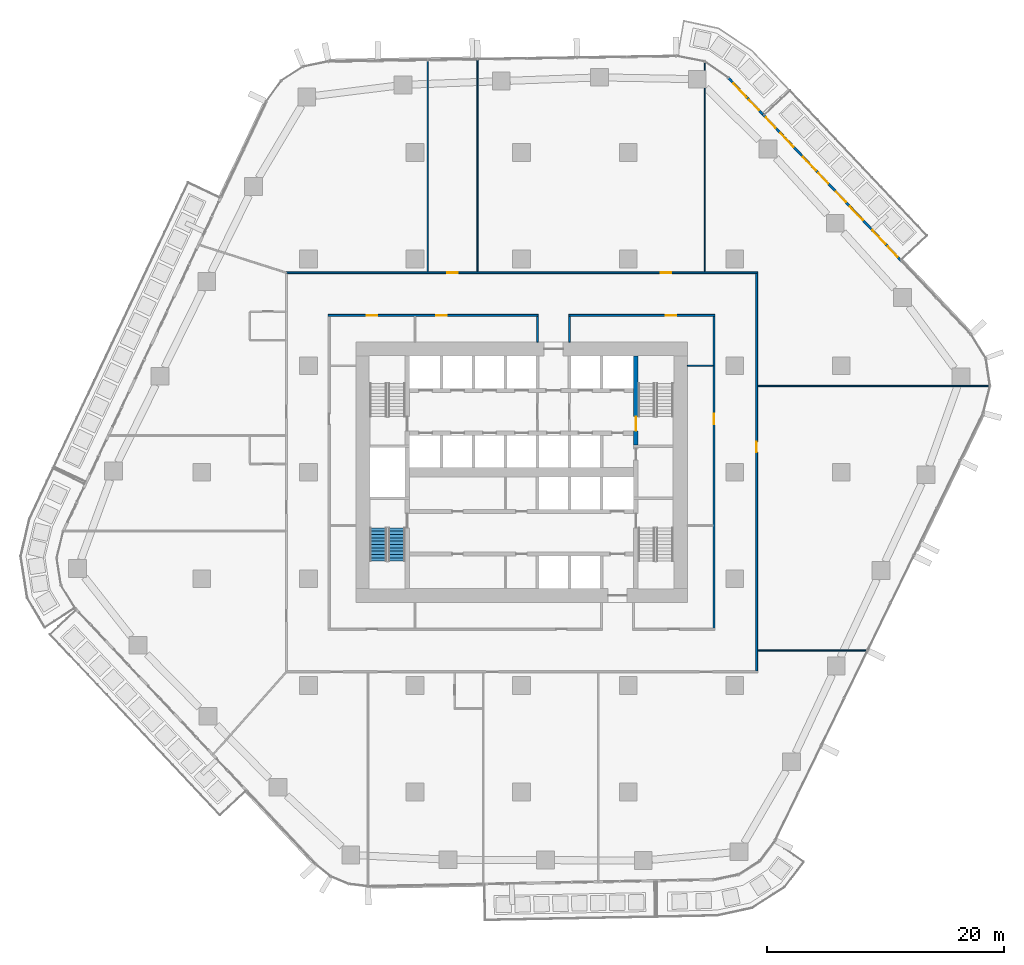
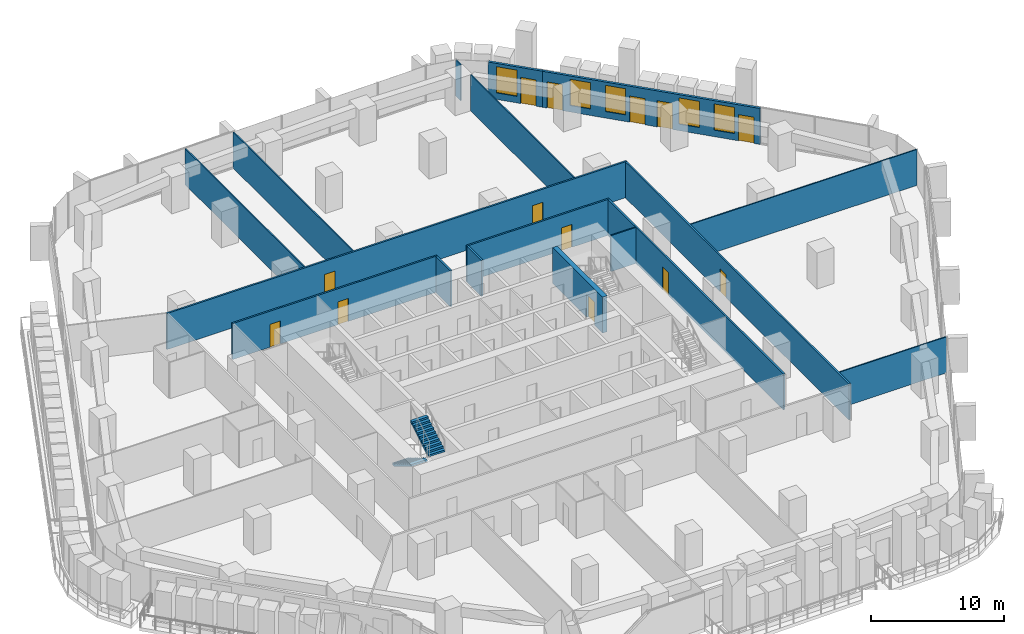
# One storey, part 17 of 25: 17 walls, 13 doors, 5 windows, 2 stair flights, 18 openings, 1 element without a shape of its own.
"""IFC4 building model written with IfcOpenShell, lengths in metres."""

from ifc_helpers import new_model, si_unit, direction, frame, frame_2d, origin, place, context, subcontext, project, spatial, polyline, rectangle, outline, extrude, material, layer, layer_set, type_object, element, fill, aggregate, save


model = new_model("IFC4")

# Units and contexts
model_context = context("Model", 3, precision=1e-05, world=origin(), true_north=direction((0.0, 1.0)))
body_context = subcontext(model_context, "Body", "Model", "MODEL_VIEW")
ifc_project = project(units=[si_unit("LENGTHUNIT", "METRE"), si_unit("AREAUNIT", "SQUARE_METRE"), si_unit("VOLUMEUNIT", "CUBIC_METRE"), si_unit("PLANEANGLEUNIT", "RADIAN"), si_unit("MASSUNIT", "GRAM", prefix="KILO")], contexts=[model_context])

# Site, building, storey
site_placement = place(None, origin())
site = spatial("IfcSite", under=ifc_project, at=site_placement, CompositionType="ELEMENT")
building_placement = place(site_placement, origin())
building = spatial("IfcBuilding", under=site, at=building_placement, Name="Dongbaek Canopy Tower", CompositionType="ELEMENT")
storey_placement = place(building_placement, frame((0.0, 0.0, 81.0)))
storey = spatial("IfcBuildingStorey", under=building, at=storey_placement, Name="L16", CompositionType="ELEMENT", Elevation=81.0)

# Wall, openings, doors
ifc_material_1 = material(Name="Gypsum board partition, steel stud, 2 x 15 mm fire board", Category="steel")
ifc_layer_1 = layer(ifc_material_1, 0.14990234375)
ifc_layer_set_1 = layer_set([ifc_layer_1], Name="Fire-rated partition 150 gypsum board")
wall_type_1 = type_object("IfcWallType", Name="Fire-rated partition 150 gypsum board", PredefinedType="PARTITIONING", material=ifc_layer_set_1)
wall_1_placement = place(storey_placement, frame((1.425048828125, 13.25, 0.0), z_axis=(0.0, 0.0, 1.0), x_axis=(-1.0, 0.0, 0.0)))
wall_1 = element("IfcWall", 1, at=wall_1_placement, inside=storey, type_object=wall_type_1, Name="Corridor partition", PredefinedType="PARTITIONING", context=body_context, shape_type="SweptSolid", body=[
    extrude(rectangle(XDim=17.75, YDim=0.14990234375, at=frame_2d((8.875, 0.0))), origin(), (0.0, 0.0, 1.0), 3.300048828125),
])
opening_1_placement = place(wall_1_placement, frame((7.72509765625, 0.0, 0.0)))
opening_1 = element("IfcOpeningElement", 2, at=opening_1_placement, cuts=wall_1, Name="Opening L16-D019", PredefinedType="OPENING", context=body_context, shape_type="SweptSolid", body=[
    extrude(rectangle(XDim=0.89990234375, YDim=2.10009765625, at=frame_2d((0.449951171875, 1.050048828125))), frame((0.0, 0.0849609375, 0.0), z_axis=(0.0, -1.0, 0.0), x_axis=(1.0, 0.0, 0.0)), (0.0, 0.0, 1.0), 0.169921875),
])
opening_2_placement = place(wall_1_placement, frame((13.60009765625, 0.0, 0.0)))
opening_2 = element("IfcOpeningElement", 3, at=opening_2_placement, cuts=wall_1, Name="Opening L16-D020", PredefinedType="OPENING", context=body_context, shape_type="SweptSolid", body=[
    extrude(rectangle(XDim=0.89990234375, YDim=2.10009765625, at=frame_2d((0.449951171875, 1.050048828125))), frame((0.0, 0.0849609375, 0.0), z_axis=(0.0, -1.0, 0.0), x_axis=(1.0, 0.0, 0.0)), (0.0, 0.0, 1.0), 0.169921875),
])
ifc_material_2 = material(Name="Timber veneered door leaf", Category="wood")
door_type_1 = type_object("IfcDoorType", Name="Room door 900 x 2100", OperationType="SINGLE_SWING_LEFT", PredefinedType="DOOR", material=ifc_material_2)
door_1_placement = place(opening_1_placement, origin())
door_1 = element("IfcDoor", 4, at=door_1_placement, inside=storey, type_object=door_type_1, Name="Door L16-D019", OperationType="SINGLE_SWING_LEFT", OverallHeight=2.10009765625, OverallWidth=0.89990234375, PredefinedType="DOOR", context=body_context, shape_type="SweptSolid", body=[
    extrude(rectangle(XDim=0.89990234375, YDim=2.10009765625, at=frame_2d((0.449951171875, 1.050048828125))), frame((0.0, 0.02490234375, 0.0), z_axis=(0.0, -1.0, 0.0), x_axis=(1.0, 0.0, 0.0)), (0.0, 0.0, 1.0), 0.050048828125),
])
fill(opening_1, door_1)
door_2_placement = place(opening_2_placement, origin())
door_2 = element("IfcDoor", 5, at=door_2_placement, inside=storey, type_object=door_type_1, Name="Door L16-D020", OperationType="SINGLE_SWING_RIGHT", OverallHeight=2.10009765625, OverallWidth=0.89990234375, PredefinedType="DOOR", context=body_context, shape_type="SweptSolid", body=[
    extrude(rectangle(XDim=0.89990234375, YDim=2.10009765625, at=frame_2d((0.449951171875, 1.050048828125))), frame((0.0, 0.02490234375, 0.0), z_axis=(0.0, -1.0, 0.0), x_axis=(1.0, 0.0, 0.0)), (0.0, 0.0, 1.0), 0.050048828125),
])
fill(opening_2, door_2)

# Wall, opening, door
wall_2_placement = place(storey_placement, frame((16.324951171875, 13.25, 0.0), z_axis=(0.0, 0.0, 1.0), x_axis=(-1.0, 0.0, 0.0)))
wall_2 = element("IfcWall", 6, at=wall_2_placement, inside=storey, type_object=wall_type_1, Name="Corridor partition", PredefinedType="PARTITIONING", context=body_context, shape_type="SweptSolid", body=[
    extrude(rectangle(XDim=12.349853515625, YDim=0.14990234375, at=frame_2d((6.1748046875, 0.0))), origin(), (0.0, 0.0, 1.0), 3.300048828125),
])
opening_3_placement = place(wall_2_placement, frame((3.25, 0.0, 0.0)))
opening_3 = element("IfcOpeningElement", 7, at=opening_3_placement, cuts=wall_2, Name="Opening L16-D018", PredefinedType="OPENING", context=body_context, shape_type="SweptSolid", body=[
    extrude(rectangle(XDim=0.89990234375, YDim=2.10009765625, at=frame_2d((0.449951171875, 1.050048828125))), frame((0.0, 0.0849609375, 0.0), z_axis=(0.0, -1.0, 0.0), x_axis=(1.0, 0.0, 0.0)), (0.0, 0.0, 1.0), 0.169921875),
])
door_3_placement = place(opening_3_placement, origin())
door_3 = element("IfcDoor", 8, at=door_3_placement, inside=storey, type_object=door_type_1, Name="Door L16-D018", OperationType="SINGLE_SWING_RIGHT", OverallHeight=2.10009765625, OverallWidth=0.89990234375, PredefinedType="DOOR", context=body_context, shape_type="SweptSolid", body=[
    extrude(rectangle(XDim=0.89990234375, YDim=2.10009765625, at=frame_2d((0.449951171875, 1.050048828125))), frame((0.0, 0.02490234375, 0.0), z_axis=(0.0, -1.0, 0.0), x_axis=(1.0, 0.0, 0.0)), (0.0, 0.0, 1.0), 0.050048828125),
])
fill(opening_3, door_3)

# Wall, openings, doors
wall_3_placement = place(storey_placement, frame((-19.925048828125, 16.85009765625, 0.0), z_axis=(0.0, 0.0, 1.0), x_axis=(1.0, 0.0, 0.0)))
wall_3 = element("IfcWall", 9, at=wall_3_placement, inside=storey, type_object=wall_type_1, Name="Corridor partition", PredefinedType="PARTITIONING", context=body_context, shape_type="SweptSolid", body=[
    extrude(rectangle(XDim=39.85009765625, YDim=0.14990234375, at=frame_2d((19.925048828125, 0.0))), origin(), (0.0, 0.0, 1.0), 3.300048828125),
])
opening_4_placement = place(wall_3_placement, frame((31.66748046875, 0.0, 0.0)))
opening_4 = element("IfcOpeningElement", 10, at=opening_4_placement, cuts=wall_3, Name="Opening L16-D010", PredefinedType="OPENING", context=body_context, shape_type="SweptSolid", body=[
    extrude(rectangle(XDim=0.89990234375, YDim=2.10009765625, at=frame_2d((0.449951171875, 1.050048828125))), frame((0.0, 0.0849609375, 0.0), z_axis=(0.0, -1.0, 0.0), x_axis=(1.0, 0.0, 0.0)), (0.0, 0.0, 1.0), 0.169921875),
])
opening_5_placement = place(wall_3_placement, frame((13.655517578125, 0.0, 0.0)))
opening_5 = element("IfcOpeningElement", 11, at=opening_5_placement, cuts=wall_3, Name="Opening L16-D011", PredefinedType="OPENING", context=body_context, shape_type="SweptSolid", body=[
    extrude(rectangle(XDim=0.89990234375, YDim=2.10009765625, at=frame_2d((0.449951171875, 1.050048828125))), frame((0.0, 0.0849609375, 0.0), z_axis=(0.0, -1.0, 0.0), x_axis=(1.0, 0.0, 0.0)), (0.0, 0.0, 1.0), 0.169921875),
])
door_4_placement = place(opening_4_placement, origin())
door_4 = element("IfcDoor", 12, at=door_4_placement, inside=storey, type_object=door_type_1, Name="Door L16-D010", OperationType="SINGLE_SWING_LEFT", OverallHeight=2.10009765625, OverallWidth=0.89990234375, PredefinedType="DOOR", context=body_context, shape_type="SweptSolid", body=[
    extrude(rectangle(XDim=0.89990234375, YDim=2.10009765625, at=frame_2d((0.449951171875, 1.050048828125))), frame((0.0, 0.02490234375, 0.0), z_axis=(0.0, -1.0, 0.0), x_axis=(1.0, 0.0, 0.0)), (0.0, 0.0, 1.0), 0.050048828125),
])
fill(opening_4, door_4)
door_5_placement = place(opening_5_placement, origin())
door_5 = element("IfcDoor", 13, at=door_5_placement, inside=storey, type_object=door_type_1, Name="Door L16-D011", OperationType="SINGLE_SWING_RIGHT", OverallHeight=2.10009765625, OverallWidth=0.89990234375, PredefinedType="DOOR", context=body_context, shape_type="SweptSolid", body=[
    extrude(rectangle(XDim=0.89990234375, YDim=2.10009765625, at=frame_2d((0.449951171875, 1.050048828125))), frame((0.0, 0.02490234375, 0.0), z_axis=(0.0, -1.0, 0.0), x_axis=(1.0, 0.0, 0.0)), (0.0, 0.0, 1.0), 0.050048828125),
])
fill(opening_5, door_5)

# Wall, opening, door
wall_4_placement = place(storey_placement, frame((19.85009765625, 16.77490234375, 0.0), z_axis=(0.0, 0.0, 1.0), x_axis=(0.0, -1.0, 0.0)))
wall_4 = element("IfcWall", 14, at=wall_4_placement, inside=storey, type_object=wall_type_1, Name="Corridor partition", PredefinedType="PARTITIONING", context=body_context, shape_type="SweptSolid", body=[
    extrude(rectangle(XDim=33.5498046875, YDim=0.14990234375, at=frame_2d((16.77490234375, 0.0))), origin(), (0.0, 0.0, 1.0), 3.300048828125),
])
opening_6_placement = place(wall_4_placement, frame((14.189697265625, 0.0, 0.0)))
opening_6 = element("IfcOpeningElement", 15, at=opening_6_placement, cuts=wall_4, Name="Opening L16-D009", PredefinedType="OPENING", context=body_context, shape_type="SweptSolid", body=[
    extrude(rectangle(XDim=0.89990234375, YDim=2.10009765625, at=frame_2d((0.449951171875, 1.050048828125))), frame((0.0, 0.0849609375, 0.0), z_axis=(0.0, -1.0, 0.0), x_axis=(1.0, 0.0, 0.0)), (0.0, 0.0, 1.0), 0.169921875),
])
door_6_placement = place(opening_6_placement, origin())
door_6 = element("IfcDoor", 16, at=door_6_placement, inside=storey, type_object=door_type_1, Name="Door L16-D009", OperationType="SINGLE_SWING_RIGHT", OverallHeight=2.10009765625, OverallWidth=0.89990234375, PredefinedType="DOOR", context=body_context, shape_type="SweptSolid", body=[
    extrude(rectangle(XDim=0.89990234375, YDim=2.10009765625, at=frame_2d((0.449951171875, 1.050048828125))), frame((0.0, 0.02490234375, 0.0), z_axis=(0.0, -1.0, 0.0), x_axis=(1.0, 0.0, 0.0)), (0.0, 0.0, 1.0), 0.050048828125),
])
fill(opening_6, door_6)

wall_5_placement = place(storey_placement, frame((16.25, -13.175048828125, 0.0), z_axis=(0.0, 0.0, 1.0), x_axis=(0.0, 1.0, 0.0)))
wall_5 = element("IfcWall", 17, at=wall_5_placement, inside=storey, type_object=wall_type_1, Name="Corridor partition", PredefinedType="PARTITIONING", context=body_context, shape_type="SweptSolid", body=[
    extrude(rectangle(XDim=26.35009765625, YDim=0.14990234375, at=frame_2d((13.175048828125, 0.0))), origin(), (0.0, 0.0, 1.0), 3.300048828125),
])
opening_7_placement = place(wall_5_placement, frame((17.22509765625, 0.0, 0.0)))
opening_7 = element("IfcOpeningElement", 18, at=opening_7_placement, cuts=wall_5, Name="Opening L16-D017", PredefinedType="OPENING", context=body_context, shape_type="SweptSolid", body=[
    extrude(rectangle(XDim=0.89990234375, YDim=2.10009765625, at=frame_2d((0.449951171875, 1.050048828125))), frame((0.0, 0.0849609375, 0.0), z_axis=(0.0, -1.0, 0.0), x_axis=(1.0, 0.0, 0.0)), (0.0, 0.0, 1.0), 0.169921875),
])
door_7_placement = place(opening_7_placement, origin())
door_7 = element("IfcDoor", 19, at=door_7_placement, inside=storey, type_object=door_type_1, Name="Door L16-D017", OperationType="SINGLE_SWING_LEFT", OverallHeight=2.10009765625, OverallWidth=0.89990234375, PredefinedType="DOOR", context=body_context, shape_type="SweptSolid", body=[
    extrude(rectangle(XDim=0.89990234375, YDim=2.10009765625, at=frame_2d((0.449951171875, 1.050048828125))), frame((0.0, 0.02490234375, 0.0), z_axis=(0.0, -1.0, 0.0), x_axis=(1.0, 0.0, 0.0)), (0.0, 0.0, 1.0), 0.050048828125),
])
fill(opening_7, door_7)

# Walls
for number, where, z_axis, x_axis, name in (
    (20, (4.050048828125, 11.0, 0.0), (0.0, 0.0, 1.0), (0.0, 1.0, 0.0), "Corridor partition"),
    (21, (1.35009765625, 11.0, 0.0), (0.0, 0.0, 1.0), (0.0, 1.0, 0.0), "Corridor partition"),
):
    element("IfcWall", number, at=place(storey_placement, frame(where, z_axis=z_axis, x_axis=x_axis)), inside=storey, type_object=wall_type_1, Name=name, PredefinedType="PARTITIONING", context=body_context, shape_type="SweptSolid", body=[
        extrude(rectangle(XDim=2.175048828125, YDim=0.14990234375, at=frame_2d((1.08740234375, 0.0))), origin(), (0.0, 0.0, 1.0), 3.300048828125),
    ])
ifc_material_3 = material(Name="Gypsum board partition, steel stud, 2 x 12.5 mm board", Category="steel")
ifc_layer_2 = layer(ifc_material_3, 0.10009765625)
ifc_layer_set_2 = layer_set([ifc_layer_2], Name="Partition 100 gypsum board")
wall_type_2 = type_object("IfcWallType", Name="Partition 100 gypsum board", PredefinedType="PARTITIONING", material=ifc_layer_set_2)
wall_6_placement = place(storey_placement, frame((19.925048828125, -15.048095703125, 0.0), z_axis=(0.0, 0.0, 1.0), x_axis=(1.0, 0.0, 0.0)))
element("IfcWall", 22, at=wall_6_placement, inside=storey, type_object=wall_type_2, Name="Partition", PredefinedType="PARTITIONING", context=body_context, shape_type="SweptSolid", body=[
    extrude(rectangle(XDim=9.259765625, YDim=0.10009765625, at=frame_2d((4.6298828125, 0.0))), origin(), (0.0, 0.0, 1.0), 3.300048828125),
])
wall_7_placement = place(storey_placement, frame((19.925048828125, 7.2900390625, 0.0), z_axis=(0.0, 0.0, 1.0), x_axis=(1.0, 0.0, 0.0)))
element("IfcWall", 23, at=wall_7_placement, inside=storey, type_object=wall_type_2, Name="Partition", PredefinedType="PARTITIONING", context=body_context, shape_type="SweptSolid", body=[
    extrude(rectangle(XDim=19.608642578125, YDim=0.10009765625, at=frame_2d((9.80419921875, 0.0))), origin(), (0.0, 0.0, 1.0), 3.300048828125),
])
wall_8_placement = place(storey_placement, frame((14.0, 9.0, 0.0), z_axis=(0.0, 0.0, 1.0), x_axis=(1.0, 0.0, 0.0)))
element("IfcWall", 24, at=wall_8_placement, inside=storey, type_object=wall_type_2, Name="Partition", PredefinedType="PARTITIONING", context=body_context, shape_type="SweptSolid", body=[
    extrude(rectangle(XDim=2.175048828125, YDim=0.10009765625, at=frame_2d((1.08740234375, 0.0))), origin(), (0.0, 0.0, 1.0), 3.300048828125),
])
wall_9_placement = place(storey_placement, frame((15.4609375, 16.925048828125, 0.0), z_axis=(0.0, 0.0, 1.0), x_axis=(0.0, 1.0, 0.0)))
element("IfcWall", 25, at=wall_9_placement, inside=storey, type_object=wall_type_2, Name="Partition", PredefinedType="PARTITIONING", context=body_context, shape_type="SweptSolid", body=[
    extrude(rectangle(XDim=15.51904296875, YDim=0.10009765625, at=frame_2d((7.759521484375, 0.0))), origin(), (0.0, 0.0, 1.0), 3.300048828125),
])
wall_10_placement = place(storey_placement, frame((15.4609375, 33.944091796875, 0.0), z_axis=(0.0, 0.0, 1.0), x_axis=(0.0, 1.0, 0.0)))
element("IfcWall", 26, at=wall_10_placement, inside=storey, type_object=wall_type_2, Name="Partition", PredefinedType="PARTITIONING", context=body_context, shape_type="SweptSolid", body=[
    extrude(rectangle(XDim=0.72509765625, YDim=0.10009765625, at=frame_2d((0.362548828125, 0.0))), origin(), (0.0, 0.0, 1.0), 3.300048828125),
])
wall_11_placement = place(storey_placement, frame((-3.719970703125, 16.925048828125, 0.0), z_axis=(0.0, 0.0, 1.0), x_axis=(0.0, 1.0, 0.0)))
element("IfcWall", 27, at=wall_11_placement, inside=storey, type_object=wall_type_2, Name="Partition", PredefinedType="PARTITIONING", context=body_context, shape_type="SweptSolid", body=[
    extrude(rectangle(XDim=17.94775390625, YDim=0.10009765625, at=frame_2d((8.973876953125, 0.0))), origin(), (0.0, 0.0, 1.0), 3.300048828125),
])
wall_12_placement = place(storey_placement, frame((-7.9189453125, 16.925048828125, 0.0), z_axis=(0.0, 0.0, 1.0), x_axis=(0.0, 1.0, 0.0)))
element("IfcWall", 28, at=wall_12_placement, inside=storey, type_object=wall_type_2, Name="Partition", PredefinedType="PARTITIONING", context=body_context, shape_type="SweptSolid", body=[
    extrude(rectangle(XDim=17.88134765625, YDim=0.10009765625, at=frame_2d((8.940673828125, 0.0))), origin(), (0.0, 0.0, 1.0), 3.300048828125),
])

# Wall, opening, door
ifc_material_4 = material(Name="Concrete C60/75", Category="concrete")
ifc_layer_3 = layer(ifc_material_4, 0.39990234375)
ifc_layer_set_3 = layer_set([ifc_layer_3], Name="Stair wall 400 Concrete C60/75")
wall_type_3 = type_object("IfcWallType", Name="Stair wall 400 Concrete C60/75", PredefinedType="SHEAR", material=ifc_layer_set_3)
wall_13_placement = place(storey_placement, frame((9.64990234375, 9.800048828125, 0.0), z_axis=(0.0, 0.0, 1.0), x_axis=(0.0, -1.0, 0.0)))
wall_13 = element("IfcWall", 29, at=wall_13_placement, inside=storey, type_object=wall_type_3, Name="Stair wall", PredefinedType="SHEAR", context=body_context, shape_type="SweptSolid", body=[
    extrude(rectangle(XDim=7.5, YDim=0.39990234375, at=frame_2d((3.75, 0.0))), origin(), (0.0, 0.0, 1.0), 3.300048828125),
])
opening_8_placement = place(wall_13_placement, frame((5.10009765625, 0.0, 0.0)))
opening_8 = element("IfcOpeningElement", 30, at=opening_8_placement, cuts=wall_13, Name="Opening L16-D045", PredefinedType="OPENING", context=body_context, shape_type="SweptSolid", body=[
    extrude(rectangle(XDim=1.199951171875, YDim=2.10009765625, at=frame_2d((0.60009765625, 1.050048828125))), frame((0.0, 0.2099609375, 0.0), z_axis=(0.0, -1.0, 0.0), x_axis=(1.0, 0.0, 0.0)), (0.0, 0.0, 1.0), 0.419921875),
])
ifc_material_5 = material(Name="Steel", Category="steel")
door_type_2 = type_object("IfcDoorType", Name="Stair door 1200 x 2100", OperationType="SINGLE_SWING_LEFT", PredefinedType="DOOR", material=ifc_material_5)
door_8_placement = place(opening_8_placement, origin())
door_8 = element("IfcDoor", 31, at=door_8_placement, inside=storey, type_object=door_type_2, Name="Stair A door", OperationType="SINGLE_SWING_LEFT", OverallHeight=2.10009765625, OverallWidth=1.199951171875, PredefinedType="DOOR", context=body_context, shape_type="SweptSolid", body=[
    extrude(rectangle(XDim=1.199951171875, YDim=2.10009765625, at=frame_2d((0.60009765625, 1.050048828125))), frame((0.0, 0.02490234375, 0.0), z_axis=(0.0, -1.0, 0.0), x_axis=(1.0, 0.0, 0.0)), (0.0, 0.0, 1.0), 0.050048828125),
])
fill(opening_8, door_8)

# Wall, openings, doors, windows
ifc_material_6 = material(Name="Aluminium window wall", Category="aluminium")
ifc_layer_4 = layer(ifc_material_6, 0.199951171875)
ifc_layer_set_4 = layer_set([ifc_layer_4], Name="Window wall 200")
wall_type_4 = type_object("IfcWallType", Name="Window wall 200", PredefinedType="SOLIDWALL", material=ifc_layer_set_4)
wall_14_placement = place(storey_placement, frame((32.095703125, 17.8291015625, 0.0), z_axis=(0.0, 0.0, 1.0), x_axis=(-0.686998594428, 0.726658744704, 0.0)))
wall_14 = element("IfcWall", 32, at=wall_14_placement, inside=storey, type_object=wall_type_4, Name="Window wall L16 1", PredefinedType="SOLIDWALL", context=body_context, shape_type="SweptSolid", body=[
    extrude(rectangle(XDim=17.04541015625, YDim=0.199951171875, at=frame_2d((8.522705078125, 0.0))), origin(), (0.0, 0.0, 1.0), 3.300048828125),
])
opening_9_placement = place(wall_14_placement, frame((2.0, 0.0, 0.60009765625)))
opening_9 = element("IfcOpeningElement", 33, at=opening_9_placement, cuts=wall_14, Name="Opening W1", PredefinedType="OPENING", context=body_context, shape_type="SweptSolid", body=[
    extrude(rectangle(XDim=1.60009765625, YDim=2.39990234375, at=frame_2d((0.800048828125, 1.199951171875))), frame((0.0, 0.10986328125, 0.0), z_axis=(0.0, -1.0, 0.0), x_axis=(1.0, 0.0, 0.0)), (0.0, 0.0, 1.0), 0.219970703125),
])
opening_10_placement = place(wall_14_placement, frame((0.5, 0.0, 0.0)))
opening_10 = element("IfcOpeningElement", 34, at=opening_10_placement, cuts=wall_14, Name="Opening L16-B01", PredefinedType="OPENING", context=body_context, shape_type="SweptSolid", body=[
    extrude(rectangle(XDim=1.199951171875, YDim=2.39990234375, at=frame_2d((0.60009765625, 1.199951171875))), frame((0.0, 0.10986328125, 0.0), z_axis=(0.0, -1.0, 0.0), x_axis=(1.0, 0.0, 0.0)), (0.0, 0.0, 1.0), 0.219970703125),
])
opening_11_placement = place(wall_14_placement, frame((4.761474609375, 0.0, 0.60009765625)))
opening_11 = element("IfcOpeningElement", 35, at=opening_11_placement, cuts=wall_14, Name="Opening W1", PredefinedType="OPENING", context=body_context, shape_type="SweptSolid", body=[
    extrude(rectangle(XDim=1.60009765625, YDim=2.39990234375, at=frame_2d((0.800048828125, 1.199951171875))), frame((0.0, 0.10986328125, 0.0), z_axis=(0.0, -1.0, 0.0), x_axis=(1.0, 0.0, 0.0)), (0.0, 0.0, 1.0), 0.219970703125),
])
opening_12_placement = place(wall_14_placement, frame((6.861328125, 0.0, 0.0)))
opening_12 = element("IfcOpeningElement", 36, at=opening_12_placement, cuts=wall_14, Name="Opening L16-B02", PredefinedType="OPENING", context=body_context, shape_type="SweptSolid", body=[
    extrude(rectangle(XDim=1.199951171875, YDim=2.39990234375, at=frame_2d((0.60009765625, 1.199951171875))), frame((0.0, 0.10986328125, 0.0), z_axis=(0.0, -1.0, 0.0), x_axis=(1.0, 0.0, 0.0)), (0.0, 0.0, 1.0), 0.219970703125),
])
opening_13_placement = place(wall_14_placement, frame((10.522705078125, 0.0, 0.60009765625)))
opening_13 = element("IfcOpeningElement", 37, at=opening_13_placement, cuts=wall_14, Name="Opening W1", PredefinedType="OPENING", context=body_context, shape_type="SweptSolid", body=[
    extrude(rectangle(XDim=1.60009765625, YDim=2.39990234375, at=frame_2d((0.800048828125, 1.199951171875))), frame((0.0, 0.10986328125, 0.0), z_axis=(0.0, -1.0, 0.0), x_axis=(1.0, 0.0, 0.0)), (0.0, 0.0, 1.0), 0.219970703125),
])
opening_14_placement = place(wall_14_placement, frame((9.022705078125, 0.0, 0.0)))
opening_14 = element("IfcOpeningElement", 38, at=opening_14_placement, cuts=wall_14, Name="Opening L16-B03", PredefinedType="OPENING", context=body_context, shape_type="SweptSolid", body=[
    extrude(rectangle(XDim=1.199951171875, YDim=2.39990234375, at=frame_2d((0.60009765625, 1.199951171875))), frame((0.0, 0.10986328125, 0.0), z_axis=(0.0, -1.0, 0.0), x_axis=(1.0, 0.0, 0.0)), (0.0, 0.0, 1.0), 0.219970703125),
])
opening_15_placement = place(wall_14_placement, frame((13.2841796875, 0.0, 0.60009765625)))
opening_15 = element("IfcOpeningElement", 39, at=opening_15_placement, cuts=wall_14, Name="Opening W1", PredefinedType="OPENING", context=body_context, shape_type="SweptSolid", body=[
    extrude(rectangle(XDim=1.60009765625, YDim=2.39990234375, at=frame_2d((0.800048828125, 1.199951171875))), frame((0.0, 0.10986328125, 0.0), z_axis=(0.0, -1.0, 0.0), x_axis=(1.0, 0.0, 0.0)), (0.0, 0.0, 1.0), 0.219970703125),
])
opening_16_placement = place(wall_14_placement, frame((15.484130859375, 0.0, 0.0)))
opening_16 = element("IfcOpeningElement", 40, at=opening_16_placement, cuts=wall_14, Name="Opening L16-B04", PredefinedType="OPENING", context=body_context, shape_type="SweptSolid", body=[
    extrude(rectangle(XDim=1.199951171875, YDim=2.39990234375, at=frame_2d((0.60009765625, 1.199951171875))), frame((0.0, 0.10986328125, 0.0), z_axis=(0.0, -1.0, 0.0), x_axis=(1.0, 0.0, 0.0)), (0.0, 0.0, 1.0), 0.219970703125),
])
ifc_material_7 = material(Name="Clear glazing in aluminium frame", Category="aluminium")
door_type_3 = type_object("IfcDoorType", Name="Balcony door BD1 1200 x 2400", OperationType="SLIDING_TO_LEFT", PredefinedType="DOOR", material=ifc_material_7)
door_9_placement = place(opening_10_placement, origin())
door_9 = element("IfcDoor", 41, at=door_9_placement, inside=storey, type_object=door_type_3, Name="Balcony door L16-B01", OperationType="SLIDING_TO_LEFT", OverallHeight=2.39990234375, OverallWidth=1.199951171875, PredefinedType="DOOR", context=body_context, shape_type="SweptSolid", body=[
    extrude(rectangle(XDim=1.199951171875, YDim=2.39990234375, at=frame_2d((0.60009765625, 1.199951171875))), frame((0.0, 0.02490234375, 0.0), z_axis=(0.0, -1.0, 0.0), x_axis=(1.0, 0.0, 0.0)), (0.0, 0.0, 1.0), 0.050048828125),
])
fill(opening_10, door_9)
door_10_placement = place(opening_12_placement, origin())
door_10 = element("IfcDoor", 42, at=door_10_placement, inside=storey, type_object=door_type_3, Name="Balcony door L16-B02", OperationType="SLIDING_TO_LEFT", OverallHeight=2.39990234375, OverallWidth=1.199951171875, PredefinedType="DOOR", context=body_context, shape_type="SweptSolid", body=[
    extrude(rectangle(XDim=1.199951171875, YDim=2.39990234375, at=frame_2d((0.60009765625, 1.199951171875))), frame((0.0, 0.02490234375, 0.0), z_axis=(0.0, -1.0, 0.0), x_axis=(1.0, 0.0, 0.0)), (0.0, 0.0, 1.0), 0.050048828125),
])
fill(opening_12, door_10)
door_11_placement = place(opening_14_placement, origin())
door_11 = element("IfcDoor", 43, at=door_11_placement, inside=storey, type_object=door_type_3, Name="Balcony door L16-B03", OperationType="SLIDING_TO_LEFT", OverallHeight=2.39990234375, OverallWidth=1.199951171875, PredefinedType="DOOR", context=body_context, shape_type="SweptSolid", body=[
    extrude(rectangle(XDim=1.199951171875, YDim=2.39990234375, at=frame_2d((0.60009765625, 1.199951171875))), frame((0.0, 0.02490234375, 0.0), z_axis=(0.0, -1.0, 0.0), x_axis=(1.0, 0.0, 0.0)), (0.0, 0.0, 1.0), 0.050048828125),
])
fill(opening_14, door_11)
door_12_placement = place(opening_16_placement, origin())
door_12 = element("IfcDoor", 44, at=door_12_placement, inside=storey, type_object=door_type_3, Name="Balcony door L16-B04", OperationType="SLIDING_TO_LEFT", OverallHeight=2.39990234375, OverallWidth=1.199951171875, PredefinedType="DOOR", context=body_context, shape_type="SweptSolid", body=[
    extrude(rectangle(XDim=1.199951171875, YDim=2.39990234375, at=frame_2d((0.60009765625, 1.199951171875))), frame((0.0, 0.02490234375, 0.0), z_axis=(0.0, -1.0, 0.0), x_axis=(1.0, 0.0, 0.0)), (0.0, 0.0, 1.0), 0.050048828125),
])
fill(opening_16, door_12)
ifc_material_8 = material(Name="Clear glazing in aluminium frame", Category="aluminium")
window_type = type_object("IfcWindowType", Name="Window W1 1600 x 2400", PartitioningType="SINGLE_PANEL", PredefinedType="WINDOW", material=ifc_material_8)
window_1_placement = place(opening_9_placement, origin())
window_1 = element("IfcWindow", 45, at=window_1_placement, inside=storey, type_object=window_type, Name="Window L16 1.1", OverallHeight=2.39990234375, OverallWidth=1.60009765625, PartitioningType="SINGLE_PANEL", PredefinedType="WINDOW", context=body_context, shape_type="SweptSolid", body=[
    extrude(rectangle(XDim=1.60009765625, YDim=2.39990234375, at=frame_2d((0.800048828125, 1.199951171875))), frame((0.0, 0.030029296875, 0.0), z_axis=(0.0, -1.0, 0.0), x_axis=(1.0, 0.0, 0.0)), (0.0, 0.0, 1.0), 0.06005859375),
])
fill(opening_9, window_1)
window_2_placement = place(opening_11_placement, origin())
window_2 = element("IfcWindow", 46, at=window_2_placement, inside=storey, type_object=window_type, Name="Window L16 1.2", OverallHeight=2.39990234375, OverallWidth=1.60009765625, PartitioningType="SINGLE_PANEL", PredefinedType="WINDOW", context=body_context, shape_type="SweptSolid", body=[
    extrude(rectangle(XDim=1.60009765625, YDim=2.39990234375, at=frame_2d((0.800048828125, 1.199951171875))), frame((0.0, 0.030029296875, 0.0), z_axis=(0.0, -1.0, 0.0), x_axis=(1.0, 0.0, 0.0)), (0.0, 0.0, 1.0), 0.06005859375),
])
fill(opening_11, window_2)
window_3_placement = place(opening_13_placement, origin())
window_3 = element("IfcWindow", 47, at=window_3_placement, inside=storey, type_object=window_type, Name="Window L16 1.3", OverallHeight=2.39990234375, OverallWidth=1.60009765625, PartitioningType="SINGLE_PANEL", PredefinedType="WINDOW", context=body_context, shape_type="SweptSolid", body=[
    extrude(rectangle(XDim=1.60009765625, YDim=2.39990234375, at=frame_2d((0.800048828125, 1.199951171875))), frame((0.0, 0.030029296875, 0.0), z_axis=(0.0, -1.0, 0.0), x_axis=(1.0, 0.0, 0.0)), (0.0, 0.0, 1.0), 0.06005859375),
])
fill(opening_13, window_3)
window_4_placement = place(opening_15_placement, origin())
window_4 = element("IfcWindow", 48, at=window_4_placement, inside=storey, type_object=window_type, Name="Window L16 1.4", OverallHeight=2.39990234375, OverallWidth=1.60009765625, PartitioningType="SINGLE_PANEL", PredefinedType="WINDOW", context=body_context, shape_type="SweptSolid", body=[
    extrude(rectangle(XDim=1.60009765625, YDim=2.39990234375, at=frame_2d((0.800048828125, 1.199951171875))), frame((0.0, 0.030029296875, 0.0), z_axis=(0.0, -1.0, 0.0), x_axis=(1.0, 0.0, 0.0)), (0.0, 0.0, 1.0), 0.06005859375),
])
fill(opening_15, window_4)

# Wall, openings, door, window
wall_15_placement = place(storey_placement, frame((20.385498046875, 30.21533203125, 0.0), z_axis=(0.0, 0.0, 1.0), x_axis=(-0.68701469064, 0.726643526666, 0.0)))
wall_15 = element("IfcWall", 49, at=wall_15_placement, inside=storey, type_object=wall_type_4, Name="Window wall L16 5", PredefinedType="SOLIDWALL", context=body_context, shape_type="SweptSolid", body=[
    extrude(rectangle(XDim=4.2509765625, YDim=0.199951171875, at=frame_2d((2.12548828125, 0.0))), origin(), (0.0, 0.0, 1.0), 3.300048828125),
])
opening_17_placement = place(wall_15_placement, frame((2.0, 0.0, 0.60009765625)))
opening_17 = element("IfcOpeningElement", 50, at=opening_17_placement, cuts=wall_15, Name="Opening W1", PredefinedType="OPENING", context=body_context, shape_type="SweptSolid", body=[
    extrude(rectangle(XDim=1.60009765625, YDim=2.39990234375, at=frame_2d((0.800048828125, 1.199951171875))), frame((0.0, 0.10986328125, 0.0), z_axis=(0.0, -1.0, 0.0), x_axis=(1.0, 0.0, 0.0)), (0.0, 0.0, 1.0), 0.219970703125),
])
opening_18_placement = place(wall_15_placement, frame((0.5, 0.0, 0.0)))
opening_18 = element("IfcOpeningElement", 51, at=opening_18_placement, cuts=wall_15, Name="Opening L16-B05", PredefinedType="OPENING", context=body_context, shape_type="SweptSolid", body=[
    extrude(rectangle(XDim=1.199951171875, YDim=2.39990234375, at=frame_2d((0.60009765625, 1.199951171875))), frame((0.0, 0.10986328125, 0.0), z_axis=(0.0, -1.0, 0.0), x_axis=(1.0, 0.0, 0.0)), (0.0, 0.0, 1.0), 0.219970703125),
])
door_13_placement = place(opening_18_placement, origin())
door_13 = element("IfcDoor", 52, at=door_13_placement, inside=storey, type_object=door_type_3, Name="Balcony door L16-B05", OperationType="SLIDING_TO_LEFT", OverallHeight=2.39990234375, OverallWidth=1.199951171875, PredefinedType="DOOR", context=body_context, shape_type="SweptSolid", body=[
    extrude(rectangle(XDim=1.199951171875, YDim=2.39990234375, at=frame_2d((0.60009765625, 1.199951171875))), frame((0.0, 0.02490234375, 0.0), z_axis=(0.0, -1.0, 0.0), x_axis=(1.0, 0.0, 0.0)), (0.0, 0.0, 1.0), 0.050048828125),
])
fill(opening_18, door_13)
window_5_placement = place(opening_17_placement, origin())
window_5 = element("IfcWindow", 53, at=window_5_placement, inside=storey, type_object=window_type, Name="Window L16 5.1", OverallHeight=2.39990234375, OverallWidth=1.60009765625, PartitioningType="SINGLE_PANEL", PredefinedType="WINDOW", context=body_context, shape_type="SweptSolid", body=[
    extrude(rectangle(XDim=1.60009765625, YDim=2.39990234375, at=frame_2d((0.800048828125, 1.199951171875))), frame((0.0, 0.030029296875, 0.0), z_axis=(0.0, -1.0, 0.0), x_axis=(1.0, 0.0, 0.0)), (0.0, 0.0, 1.0), 0.06005859375),
])
fill(opening_17, window_5)

# Stair, stair flights
ifc_material_9 = material(Name="Concrete C40/50", Category="concrete")
stair_type = type_object("IfcStairType", Name="Core exit stair", PredefinedType="HALF_TURN_STAIR", material=ifc_material_9)
stair_placement = place(storey_placement, origin())
stair = element("IfcStair", 54, at=stair_placement, inside=storey, type_object=stair_type, Name="L16 exit stair D", PredefinedType="HALF_TURN_STAIR")
ifc_material_10 = material(Name="Concrete C40/50", Category="concrete")
ifc_layer_5 = layer(ifc_material_10, 0.14990234375)
ifc_layer_set_5 = layer_set([ifc_layer_5], Name="Core stair flight 150 waist")
stair_flight_type = type_object("IfcStairFlightType", Name="Core stair flight 150 waist", PredefinedType="STRAIGHT", material=ifc_layer_set_5)
stair_flight_1_placement = place(storey_placement, frame((-12.10009765625, -4.699951171875, 0.0), z_axis=(0.0, 0.0, 1.0), x_axis=(0.0, -1.0, 0.0)))
stair_flight_1 = element("IfcStairFlight", 55, at=stair_flight_1_placement, type_object=stair_flight_type, Name="ST-D flight 1", NumberOfRisers=11, NumberOfTreads=10, PredefinedType="STRAIGHT", RiserHeight=0.168181818, TreadLength=0.28, context=body_context, shape_type="SweptSolid", body=[
    extrude(outline(polyline([(0.0, 0.0), (0.0, 0.168212890625), (0.280029296875, 0.168212890625), (0.280029296875, 0.33642578125), (0.56005859375, 0.33642578125), (0.56005859375, 0.504638671875), (0.840087890625, 0.504638671875), (0.840087890625, 0.672607421875), (1.1201171875, 0.672607421875), (1.1201171875, 0.8408203125), (1.39990234375, 0.8408203125), (1.39990234375, 1.009033203125), (1.679931640625, 1.009033203125), (1.679931640625, 1.17724609375), (1.9599609375, 1.17724609375), (1.9599609375, 1.345458984375), (2.239990234375, 1.345458984375), (2.239990234375, 1.513671875), (2.52001953125, 1.513671875), (2.52001953125, 1.681884765625), (2.800048828125, 1.681884765625), (2.800048828125, 1.85009765625), (2.800048828125, 1.5068359375), (0.291015625, 0.0), (0.0, 0.0)])), frame((0.0, 0.699951171875, 0.0), z_axis=(0.0, -1.0, 0.0), x_axis=(1.0, 0.0, 0.0)), (0.0, 0.0, 1.0), 1.39990234375),
])
stair_flight_2_placement = place(storey_placement, frame((-10.550048828125, -7.5, 1.85009765625), z_axis=(0.0, 0.0, 1.0), x_axis=(0.0, 1.0, 0.0)))
stair_flight_2 = element("IfcStairFlight", 56, at=stair_flight_2_placement, type_object=stair_flight_type, Name="ST-D flight 2", NumberOfRisers=11, NumberOfTreads=10, PredefinedType="STRAIGHT", RiserHeight=0.168181818, TreadLength=0.28, context=body_context, shape_type="SweptSolid", body=[
    extrude(outline(polyline([(0.0, 0.0), (0.0, 0.168212890625), (0.280029296875, 0.168212890625), (0.280029296875, 0.33642578125), (0.56005859375, 0.33642578125), (0.56005859375, 0.504638671875), (0.840087890625, 0.504638671875), (0.840087890625, 0.672607421875), (1.1201171875, 0.672607421875), (1.1201171875, 0.8408203125), (1.39990234375, 0.8408203125), (1.39990234375, 1.009033203125), (1.679931640625, 1.009033203125), (1.679931640625, 1.17724609375), (1.9599609375, 1.17724609375), (1.9599609375, 1.345458984375), (2.239990234375, 1.345458984375), (2.239990234375, 1.513671875), (2.52001953125, 1.513671875), (2.52001953125, 1.681884765625), (2.800048828125, 1.681884765625), (2.800048828125, 1.85009765625), (2.800048828125, 1.5068359375), (0.291015625, 0.0), (0.0, 0.0)])), frame((0.0, 0.699951171875, 0.0), z_axis=(0.0, -1.0, 0.0), x_axis=(1.0, 0.0, 0.0)), (0.0, 0.0, 1.0), 1.39990234375),
])
aggregate(stair, [stair_flight_1, stair_flight_2])

save(model, "model.ifc")
